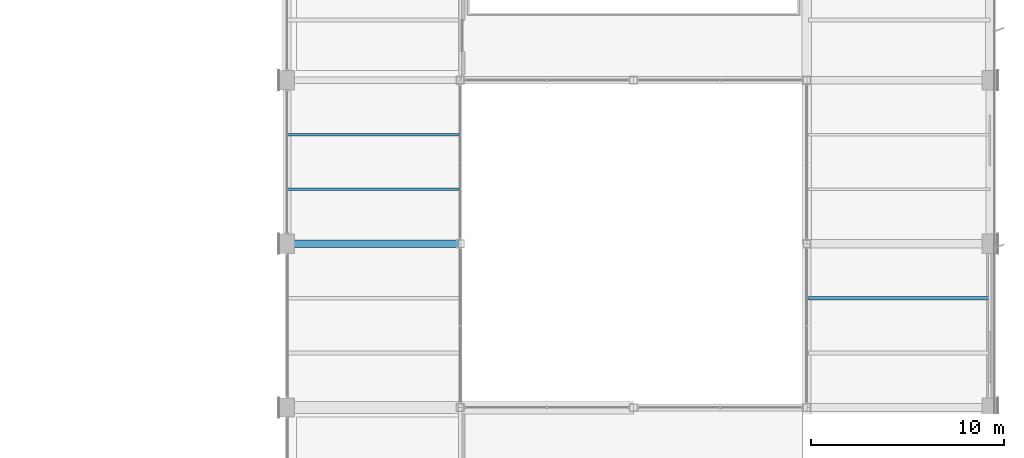
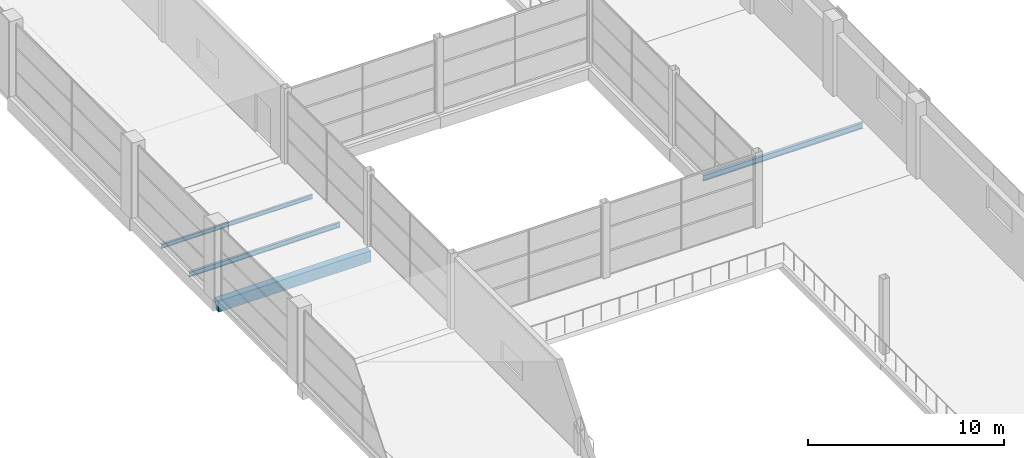
# One storey, part 71 of 112: 4 beams.
"""IFC4 building model written with IfcOpenShell, lengths in metres."""

from ifc_helpers import new_model, si_unit, direction, frame, origin, origin_2d, place, context, subcontext, project, spatial, rectangle, i_section, extrude, material, material_profile, profile_set, type_object, element, save


model = new_model("IFC4")

# Units and contexts
model_context = context("Model", 3, precision=1e-05, world=origin(), true_north=direction((0.0, 1.0)))
body_context = subcontext(model_context, "Body", "Model", "MODEL_VIEW")
ifc_project = project(units=[si_unit("LENGTHUNIT", "METRE"), si_unit("AREAUNIT", "SQUARE_METRE"), si_unit("VOLUMEUNIT", "CUBIC_METRE"), si_unit("PLANEANGLEUNIT", "RADIAN"), si_unit("MASSUNIT", "GRAM", prefix="KILO")], contexts=[model_context])

# Site, building, storey
site_placement = place(None, origin())
site = spatial("IfcSite", under=ifc_project, at=site_placement, CompositionType="ELEMENT")
building_placement = place(site_placement, origin())
building = spatial("IfcBuilding", under=site, at=building_placement, Name="Solvikara Media Centre", CompositionType="ELEMENT")
storey_placement = place(building_placement, frame((0.0, 0.0, 5.39990234375)))
storey = spatial("IfcBuildingStorey", under=building, at=storey_placement, Name="L01", CompositionType="ELEMENT", Elevation=5.39990234375)

# Beams
ifc_material_1 = material(Name="Concrete fc' 35 MPa (C35/45)", Category="concrete")
ifc_material_profile_1 = material_profile(ifc_material_1, rectangle(XDim=0.39990234375, YDim=0.699951171875, at=origin_2d()), Name="RC 400x700")
ifc_profile_set_1 = profile_set([ifc_material_profile_1], Name="Concrete fc' 35 MPa (C35/45)")
beam_type_1 = type_object("IfcBeamType", Name="BM-13", PredefinedType="SPANDREL", material=ifc_profile_set_1)
beam_1_placement = place(storey_placement, frame((127.5, 80.5, -0.64990234375), z_axis=(1.0, 0.0, 0.0), x_axis=(0.0, 1.0, 0.0)))
element("IfcBeam", 1, at=beam_1_placement, inside=storey, type_object=beam_type_1, Name="B-L01-X0511", PredefinedType="SPANDREL", context=body_context, shape_type="SweptSolid", body=[
    extrude(rectangle(XDim=0.39990234375, YDim=0.699951171875, at=origin_2d()), origin(), (0.0, 0.0, 1.0), 9.0),
])
ifc_material_2 = material(Name="Steel S355JR", Category="steel")
ifc_material_profile_2 = material_profile(ifc_material_2, i_section(OverallWidth=0.175048828125, OverallDepth=0.35009765625, WebThickness=0.007080078125, FlangeThickness=0.010986328125, at=origin_2d()), Name="WF 350x175x7x11")
ifc_profile_set_2 = profile_set([ifc_material_profile_2], Name="Steel S355JR")
beam_type_2 = type_object("IfcBeamType", Name="BM-22", PredefinedType="JOIST", material=ifc_profile_set_2)
beam_2_placement = place(storey_placement, frame((154.577880859375, 77.6669921875, -0.476806640625), z_axis=(1.0, 0.0, 0.0), x_axis=(0.0, 1.0, 0.0)))
element("IfcBeam", 2, at=beam_2_placement, inside=storey, type_object=beam_type_2, Name="J-L01-0810", PredefinedType="JOIST", context=body_context, shape_type="SweptSolid", body=[
    extrude(i_section(OverallWidth=0.175048828125, OverallDepth=0.35009765625, WebThickness=0.007080078125, FlangeThickness=0.010986328125, at=origin_2d()), origin(), (0.0, 0.0, 1.0), 9.422119140625),
])
ifc_material_profile_3 = material_profile(ifc_material_2, i_section(OverallWidth=0.14990234375, OverallDepth=0.300048828125, WebThickness=0.006591796875, FlangeThickness=0.009033203125, at=origin_2d()), Name="WF 300x150x6.5x9")
ifc_profile_set_3 = profile_set([ifc_material_profile_3], Name="Steel S355JR")
beam_type_3 = type_object("IfcBeamType", Name="BM-23", PredefinedType="JOIST", material=ifc_profile_set_3)
beam_3_placement = place(storey_placement, frame((127.5, 83.3330078125, -0.451904296875), z_axis=(1.0, 0.0, 0.0), x_axis=(0.0, 1.0, 0.0)))
element("IfcBeam", 3, at=beam_3_placement, inside=storey, type_object=beam_type_3, Name="J-L01-0771", PredefinedType="JOIST", context=body_context, shape_type="SweptSolid", body=[
    extrude(i_section(OverallWidth=0.14990234375, OverallDepth=0.300048828125, WebThickness=0.006591796875, FlangeThickness=0.009033203125, at=origin_2d()), origin(), (0.0, 0.0, 1.0), 8.922119140625),
])
ifc_material_profile_4 = material_profile(ifc_material_2, i_section(OverallWidth=0.125, OverallDepth=0.25, WebThickness=0.006103515625, FlangeThickness=0.009033203125, at=origin_2d()), Name="WF 250x125x6x9")
ifc_profile_set_4 = profile_set([ifc_material_profile_4], Name="Steel S355JR")
beam_type_4 = type_object("IfcBeamType", Name="BM-24", PredefinedType="JOIST", material=ifc_profile_set_4)
beam_4_placement = place(storey_placement, frame((127.5, 86.1669921875, -0.427001953125), z_axis=(1.0, 0.0, 0.0), x_axis=(0.0, 1.0, 0.0)))
element("IfcBeam", 4, at=beam_4_placement, inside=storey, type_object=beam_type_4, Name="J-L01-0772", PredefinedType="JOIST", context=body_context, shape_type="SweptSolid", body=[
    extrude(i_section(OverallWidth=0.125, OverallDepth=0.25, WebThickness=0.006103515625, FlangeThickness=0.009033203125, at=origin_2d()), origin(), (0.0, 0.0, 1.0), 8.922119140625),
])

save(model, "model.ifc")
